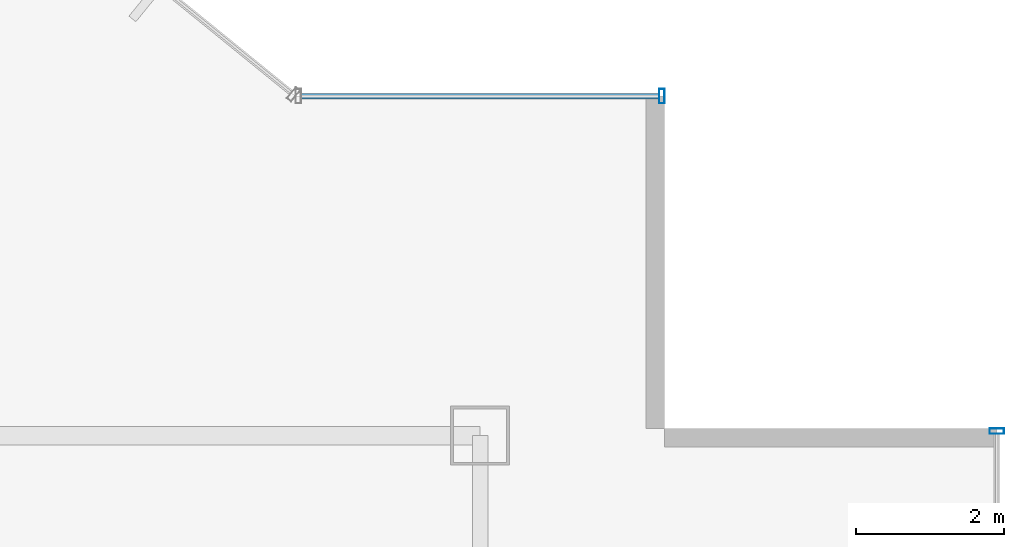
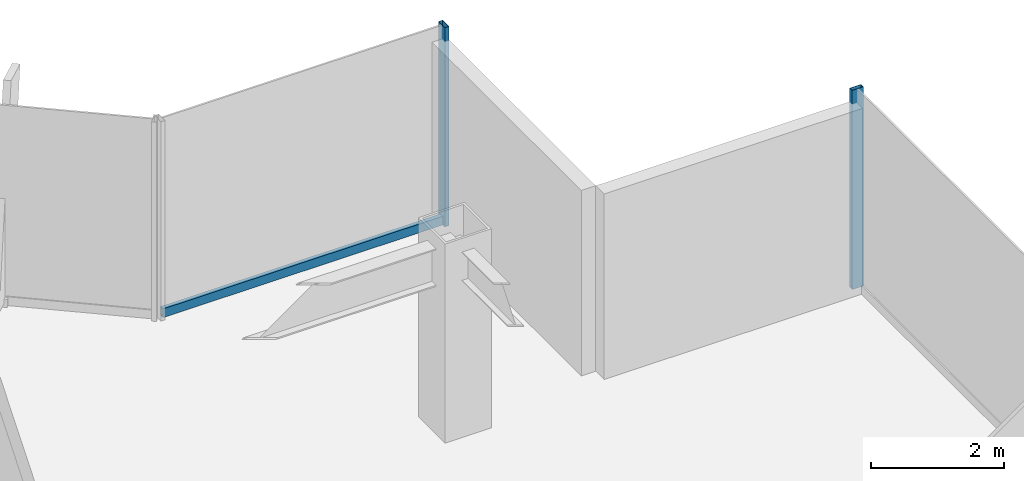
# One storey, part 19 of 26: 3 members, 2 elements without a shape of their own.
"""IFC4 building model written with IfcOpenShell, lengths in metres."""

from ifc_helpers import new_model, si_unit, derived_unit, direction, frame, origin, origin_2d, place, context, subcontext, project, spatial, hollow_rectangle, extrude, source, transform, mapped, material, material_profile, profile_set, type_object, element, aggregate, save


model = new_model("IFC4")

# Units and contexts
model_context = context("Model", 3, precision=1e-05, world=origin(), true_north=direction((0.0, 1.0)))
body_context = subcontext(model_context, "Body", "Model", "MODEL_VIEW")
ifc_project = project(units=[si_unit("LENGTHUNIT", "METRE"), si_unit("AREAUNIT", "SQUARE_METRE"), si_unit("VOLUMEUNIT", "CUBIC_METRE"), si_unit("PLANEANGLEUNIT", "RADIAN"), si_unit("MASSUNIT", "GRAM", prefix="KILO"), derived_unit("THERMALTRANSMITTANCEUNIT", [(si_unit("POWERUNIT", "WATT"), 1), (si_unit("LENGTHUNIT", "METRE"), -2), (si_unit("THERMODYNAMICTEMPERATUREUNIT", "KELVIN"), -1)])], contexts=[model_context])

# Site, building, storey
site_placement = place(None, origin())
site = spatial("IfcSite", under=ifc_project, at=site_placement, CompositionType="ELEMENT")
building_placement = place(site_placement, origin())
building = spatial("IfcBuilding", under=site, at=building_placement, Name="Skarnbrae Concourse Arena and Tower", CompositionType="ELEMENT")
storey_placement = place(building_placement, frame((0.0, 0.0, 99.60009765625)))
storey = spatial("IfcBuildingStorey", under=building, at=storey_placement, Name="L24", CompositionType="ELEMENT", Elevation=99.60009765625)

# Curtain wall, member
ifc_material = material(Name="Bronze anodised aluminium 6063-T6", Category="aluminium")
curtain_wall_type = type_object("IfcCurtainWallType", Name="CW-SYS-04-MIDZONE", PredefinedType="USERDEFINED", material=ifc_material)
curtain_wall_1_placement = place(storey_placement, origin())
curtain_wall_1 = element("IfcCurtainWall", 1, at=curtain_wall_1_placement, inside=storey, type_object=curtain_wall_type, Name="L24 Unitised curtain wall CW-L24-E07", ObjectType="UNITISED CURTAIN WALL", PredefinedType="USERDEFINED")
ifc_material_profile_1 = material_profile(ifc_material, hollow_rectangle(XDim=0.074951171875, YDim=0.159912109375, WallThickness=0.00439453125, at=origin_2d()), Name="ALU-TRAN-75X160")
ifc_profile_set_1 = profile_set([ifc_material_profile_1], Name="Bronze anodised aluminium 6063-T6")
member_type_1 = type_object("IfcMemberType", Name="CWT-CW-04", PredefinedType="USERDEFINED", material=ifc_profile_set_1)
shared_shape_1 = source(origin(), body_context, "Body", "SweptSolid", [
    extrude(hollow_rectangle(XDim=0.074951171875, YDim=0.159912109375, WallThickness=0.00439453125, at=origin_2d()), origin(), (0.0, 0.0, 1.0), 4.85009765625),
])
member_1_placement = place(storey_placement, frame((51.425048828125, 39.0, 0.079833984375), z_axis=(-1.0, 0.0, 0.0), x_axis=(0.0, -1.0, 0.0)))
member_1 = element("IfcMember", 2, at=member_1_placement, type_object=member_type_1, Name="CW-L24-E07 Transom 1", ObjectType="TRANSOM", PredefinedType="USERDEFINED", context=body_context, shape_type="MappedRepresentation", body=[
    mapped(shared_shape_1, transform((0.0, 0.0, 0.0))),
])

curtain_wall_2_placement = place(storey_placement, origin())
curtain_wall_2 = element("IfcCurtainWall", 3, at=curtain_wall_2_placement, inside=storey, type_object=curtain_wall_type, Name="L24 Unitised curtain wall CW-L24-E04", ObjectType="UNITISED CURTAIN WALL", PredefinedType="USERDEFINED")
ifc_material_profile_2 = material_profile(ifc_material, hollow_rectangle(XDim=0.074951171875, YDim=0.195068359375, WallThickness=0.00439453125, at=origin_2d()), Name="ALU-MULL-75X195")
ifc_profile_set_2 = profile_set([ifc_material_profile_2], Name="Bronze anodised aluminium 6063-T6")
member_type_2 = type_object("IfcMemberType", Name="CWM-CW-04", PredefinedType="MULLION", material=ifc_profile_set_2)
shared_shape_2 = source(origin(), body_context, "Body", "SweptSolid", [
    extrude(hollow_rectangle(XDim=0.074951171875, YDim=0.195068359375, WallThickness=0.00439453125, at=origin_2d()), origin(), (0.0, 0.0, 1.0), 3.64990234375),
])
member_2_placement = place(storey_placement, frame((56.0, 34.46240234375, 0.0), z_axis=(0.0, 0.0, 1.0), x_axis=(0.0, 1.0, 0.0)))
member_2 = element("IfcMember", 4, at=member_2_placement, type_object=member_type_2, Name="CW-L24-E04 Mullion 5", PredefinedType="MULLION", context=body_context, shape_type="MappedRepresentation", body=[
    mapped(shared_shape_2, transform((0.0, 0.0, 0.0))),
])
aggregate(curtain_wall_2, [member_2])

# Member
member_3_placement = place(storey_placement, frame((51.46240234375, 39.0, 0.0), z_axis=(0.0, 0.0, 1.0), x_axis=(-1.0, 0.0, 0.0)))
member_3 = element("IfcMember", 5, at=member_3_placement, type_object=member_type_2, Name="CW-L24-E07 Mullion 1", PredefinedType="MULLION", context=body_context, shape_type="MappedRepresentation", body=[
    mapped(shared_shape_2, transform((0.0, 0.0, 0.0))),
])

aggregate(curtain_wall_1, [member_3, member_1])

save(model, "model.ifc")
